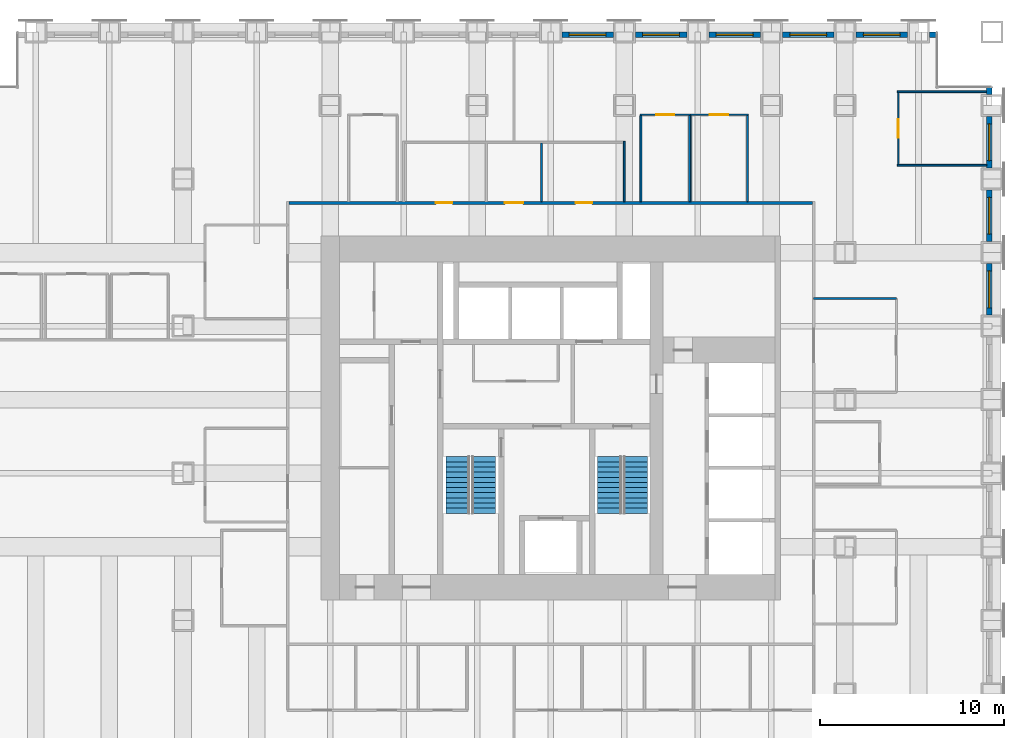
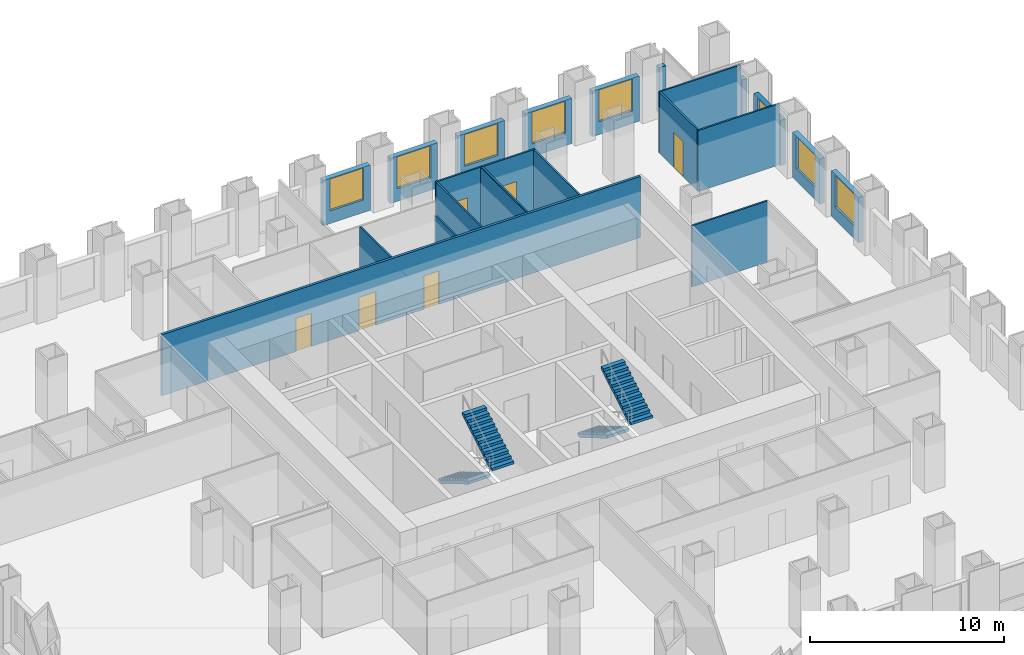
# One storey, part 12 of 14: 23 walls, 8 windows, 6 doors, 4 stair flights, 14 openings, 2 elements without a shape of their own.
"""IFC4 building model written with IfcOpenShell, lengths in metres."""

from ifc_helpers import new_model, si_unit, direction, frame, frame_2d, origin, place, context, subcontext, project, spatial, polyline, rectangle, outline, extrude, material, layer, layer_set, type_object, element, fill, aggregate, save


model = new_model("IFC4")

# Units and contexts
model_context = context("Model", 3, precision=1e-05, world=origin(), true_north=direction((0.0, 1.0)))
body_context = subcontext(model_context, "Body", "Model", "MODEL_VIEW")
ifc_project = project(units=[si_unit("LENGTHUNIT", "METRE"), si_unit("AREAUNIT", "SQUARE_METRE"), si_unit("VOLUMEUNIT", "CUBIC_METRE"), si_unit("PLANEANGLEUNIT", "RADIAN"), si_unit("MASSUNIT", "GRAM", prefix="KILO")], contexts=[model_context])

# Site, building, storey
site_placement = place(None, origin())
site = spatial("IfcSite", under=ifc_project, at=site_placement, CompositionType="ELEMENT")
building_placement = place(site_placement, origin())
building = spatial("IfcBuilding", under=site, at=building_placement, Name="Rimbunsela Tower", CompositionType="ELEMENT")
storey_placement = place(building_placement, frame((0.0, 0.0, 63.0)))
storey = spatial("IfcBuildingStorey", under=building, at=storey_placement, Name="L15", CompositionType="ELEMENT", Elevation=63.0)

# Wall
ifc_material_1 = material(Name="Gypsum board on steel studs", Category="steel")
ifc_layer_1 = layer(ifc_material_1, 0.10009765625)
ifc_layer_set_1 = layer_set([ifc_layer_1], Name="Office partition 100")
wall_type_1 = type_object("IfcWallType", Name="Office partition 100", PredefinedType="PARTITIONING", material=ifc_layer_set_1)
wall_1_placement = place(storey_placement, frame((48.85009765625, 40.75, 0.0), z_axis=(0.0, 0.0, 1.0), x_axis=(1.0, 0.0, 0.0)))
element("IfcWall", 1, at=wall_1_placement, inside=storey, type_object=wall_type_1, Name="Office partition", PredefinedType="PARTITIONING", context=body_context, shape_type="SweptSolid", body=[
    extrude(rectangle(XDim=4.849853515625, YDim=0.10009765625, at=frame_2d((2.4248046875, 0.0))), origin(), (0.0, 0.0, 1.0), 3.85009765625),
])

# Wall, opening, door
wall_2_placement = place(storey_placement, frame((34.85009765625, 43.5, 0.0), z_axis=(0.0, 0.0, 1.0), x_axis=(1.0, 0.0, 0.0)))
wall_2 = element("IfcWall", 2, at=wall_2_placement, inside=storey, type_object=wall_type_1, Name="Office partition", PredefinedType="PARTITIONING", context=body_context, shape_type="SweptSolid", body=[
    extrude(rectangle(XDim=2.75, YDim=0.10009765625, at=frame_2d((1.375, 0.0))), origin(), (0.0, 0.0, 1.0), 3.85009765625),
])
opening_1_placement = place(wall_2_placement, frame((0.875, 0.0, 0.0)))
opening_1 = element("IfcOpeningElement", 3, at=opening_1_placement, cuts=wall_2, Name="Opening D16", PredefinedType="OPENING", context=body_context, shape_type="SweptSolid", body=[
    extrude(rectangle(XDim=1.0, YDim=2.199951171875, at=frame_2d((0.5, 1.10009765625))), frame((0.0, 0.06005859375, 0.0), z_axis=(0.0, -1.0, 0.0), x_axis=(1.0, 0.0, 0.0)), (0.0, 0.0, 1.0), 0.1201171875),
])
ifc_material_2 = material(Name="Timber door", Category="wood")
door_type_1 = type_object("IfcDoorType", Name="Office door 1000", OperationType="SINGLE_SWING_LEFT", PredefinedType="DOOR", material=ifc_material_2)
door_1_placement = place(opening_1_placement, origin())
door_1 = element("IfcDoor", 4, at=door_1_placement, inside=storey, type_object=door_type_1, Name="Office door", OperationType="SINGLE_SWING_LEFT", OverallHeight=2.199951171875, OverallWidth=1.0, PredefinedType="DOOR", context=body_context, shape_type="SweptSolid", body=[
    extrude(rectangle(XDim=1.0, YDim=2.199951171875, at=frame_2d((0.5, 1.10009765625))), frame((0.0, 0.02490234375, 0.0), z_axis=(0.0, -1.0, 0.0), x_axis=(1.0, 0.0, 0.0)), (0.0, 0.0, 1.0), 0.050048828125),
])
fill(opening_1, door_1)

wall_3_placement = place(storey_placement, frame((37.550048828125, 43.5, 0.0), z_axis=(0.0, 0.0, 1.0), x_axis=(1.0, 0.0, 0.0)))
wall_3 = element("IfcWall", 5, at=wall_3_placement, inside=storey, type_object=wall_type_1, Name="Office partition", PredefinedType="PARTITIONING", context=body_context, shape_type="SweptSolid", body=[
    extrude(rectangle(XDim=3.199951171875, YDim=0.10009765625, at=frame_2d((1.60009765625, 0.0))), origin(), (0.0, 0.0, 1.0), 3.85009765625),
])
opening_2_placement = place(wall_3_placement, frame((1.10009765625, 0.0, 0.0)))
opening_2 = element("IfcOpeningElement", 6, at=opening_2_placement, cuts=wall_3, Name="Opening D16", PredefinedType="OPENING", context=body_context, shape_type="SweptSolid", body=[
    extrude(rectangle(XDim=1.0, YDim=2.199951171875, at=frame_2d((0.5, 1.10009765625))), frame((0.0, 0.06005859375, 0.0), z_axis=(0.0, -1.0, 0.0), x_axis=(1.0, 0.0, 0.0)), (0.0, 0.0, 1.0), 0.1201171875),
])
door_2_placement = place(opening_2_placement, origin())
door_2 = element("IfcDoor", 7, at=door_2_placement, inside=storey, type_object=door_type_1, Name="Office door", OperationType="SINGLE_SWING_LEFT", OverallHeight=2.199951171875, OverallWidth=1.0, PredefinedType="DOOR", context=body_context, shape_type="SweptSolid", body=[
    extrude(rectangle(XDim=1.0, YDim=2.199951171875, at=frame_2d((0.5, 1.10009765625))), frame((0.0, 0.02490234375, 0.0), z_axis=(0.0, -1.0, 0.0), x_axis=(1.0, 0.0, 0.0)), (0.0, 0.0, 1.0), 0.050048828125),
])
fill(opening_2, door_2)

# Walls
wall_4_placement = place(storey_placement, frame((48.85009765625, 44.75, 0.0), z_axis=(0.0, 0.0, 1.0), x_axis=(1.0, 0.0, 0.0)))
element("IfcWall", 8, at=wall_4_placement, inside=storey, type_object=wall_type_1, Name="Office partition", PredefinedType="PARTITIONING", context=body_context, shape_type="SweptSolid", body=[
    extrude(rectangle(XDim=4.849853515625, YDim=0.10009765625, at=frame_2d((2.4248046875, 0.0))), origin(), (0.0, 0.0, 1.0), 3.85009765625),
])
for number, where, z_axis, x_axis, name in (
    (9, (34.89990234375, 38.77490234375, 0.0), (0.0, 0.0, 1.0), (0.0, 1.0, 0.0), "Office partition"),
    (10, (37.550048828125, 38.77490234375, 0.0), (0.0, 0.0, 1.0), (0.0, 1.0, 0.0), "Office partition"),
    (11, (37.60009765625, 38.77490234375, 0.0), (0.0, 0.0, 1.0), (0.0, 1.0, 0.0), "Office partition"),
    (12, (40.699951171875, 38.77490234375, 0.0), (0.0, 0.0, 1.0), (0.0, 1.0, 0.0), "Office partition"),
):
    element("IfcWall", number, at=place(storey_placement, frame(where, z_axis=z_axis, x_axis=x_axis)), inside=storey, type_object=wall_type_1, Name=name, PredefinedType="PARTITIONING", context=body_context, shape_type="SweptSolid", body=[
        extrude(rectangle(XDim=4.675048828125, YDim=0.10009765625, at=frame_2d((2.33740234375, 0.0))), origin(), (0.0, 0.0, 1.0), 3.85009765625),
    ])

# Wall, opening, door
wall_5_placement = place(storey_placement, frame((48.89990234375, 40.800048828125, 0.0), z_axis=(0.0, 0.0, 1.0), x_axis=(0.0, 1.0, 0.0)))
wall_5 = element("IfcWall", 13, at=wall_5_placement, inside=storey, type_object=wall_type_1, Name="Office partition", PredefinedType="PARTITIONING", context=body_context, shape_type="SweptSolid", body=[
    extrude(rectangle(XDim=3.89990234375, YDim=0.10009765625, at=frame_2d((1.949951171875, 0.0))), origin(), (0.0, 0.0, 1.0), 3.85009765625),
])
opening_3_placement = place(wall_5_placement, frame((1.449951171875, 0.0, 0.0)))
opening_3 = element("IfcOpeningElement", 14, at=opening_3_placement, cuts=wall_5, Name="Opening D17", PredefinedType="OPENING", context=body_context, shape_type="SweptSolid", body=[
    extrude(rectangle(XDim=1.0, YDim=2.199951171875, at=frame_2d((0.5, 1.10009765625))), frame((0.0, 0.06005859375, 0.0), z_axis=(0.0, -1.0, 0.0), x_axis=(1.0, 0.0, 0.0)), (0.0, 0.0, 1.0), 0.1201171875),
])
ifc_material_3 = material(Name="Glazed aluminium door", Category="aluminium")
door_type_2 = type_object("IfcDoorType", Name="Meeting room door 1000 glazed", OperationType="SINGLE_SWING_RIGHT", PredefinedType="DOOR", material=ifc_material_3)
door_3_placement = place(opening_3_placement, origin())
door_3 = element("IfcDoor", 15, at=door_3_placement, inside=storey, type_object=door_type_2, Name="Meeting room door", OperationType="SINGLE_SWING_RIGHT", OverallHeight=2.199951171875, OverallWidth=1.0, PredefinedType="DOOR", context=body_context, shape_type="SweptSolid", body=[
    extrude(rectangle(XDim=1.0, YDim=2.199951171875, at=frame_2d((0.5, 1.10009765625))), frame((0.0, 0.02490234375, 0.0), z_axis=(0.0, -1.0, 0.0), x_axis=(1.0, 0.0, 0.0)), (0.0, 0.0, 1.0), 0.050048828125),
])
fill(opening_3, door_3)

# Wall
wall_6_placement = place(storey_placement, frame((48.800048828125, 33.5, 0.0), z_axis=(0.0, 0.0, 1.0), x_axis=(-1.0, 0.0, 0.0)))
element("IfcWall", 16, at=wall_6_placement, inside=storey, type_object=wall_type_1, Name="Office partition", PredefinedType="PARTITIONING", context=body_context, shape_type="SweptSolid", body=[
    extrude(rectangle(XDim=4.5, YDim=0.10009765625, at=frame_2d((2.25, 0.0))), origin(), (0.0, 0.0, 1.0), 3.85009765625),
])

# Wall, opening, window
ifc_material_4 = material(Name="Precast concrete fc' 35 MPa", Category="concrete")
ifc_layer_2 = layer(ifc_material_4, 0.300048828125)
ifc_layer_set_2 = layer_set([ifc_layer_2], Name="Precast concrete fc' 35 MPa")
wall_type_2 = type_object("IfcWallType", Name="Precast facade panel 300", PredefinedType="ELEMENTEDWALL", material=ifc_layer_set_2)
wall_7_placement = place(storey_placement, frame((53.85009765625, 32.60009765625, 0.0), z_axis=(0.0, 0.0, 1.0), x_axis=(0.0, 1.0, 0.0)))
wall_7 = element("IfcWall", 17, at=wall_7_placement, inside=storey, type_object=wall_type_2, Name="Facade panel E L15", PredefinedType="ELEMENTEDWALL", context=body_context, shape_type="SweptSolid", body=[
    extrude(rectangle(XDim=2.7998046875, YDim=0.300048828125, at=frame_2d((1.39990234375, 0.0))), origin(), (0.0, 0.0, 1.0), 2.85009765625),
])
opening_4_placement = place(wall_7_placement, frame((0.39990234375, 0.0, 0.800048828125)))
opening_4 = element("IfcOpeningElement", 18, at=opening_4_placement, cuts=wall_7, Name="Opening W1", PredefinedType="OPENING", context=body_context, shape_type="SweptSolid", body=[
    extrude(rectangle(XDim=2.0, YDim=2.0, at=frame_2d((1.0, 1.0))), frame((0.0, 0.159912109375, 0.0), z_axis=(0.0, -1.0, 0.0), x_axis=(1.0, 0.0, 0.0)), (0.0, 0.0, 1.0), 0.320068359375),
])
ifc_material_5 = material(Name="Clear glass in aluminium frame", Category="aluminium")
window_type = type_object("IfcWindowType", Name="Window W1 2000x2000", PartitioningType="DOUBLE_PANEL_VERTICAL", PredefinedType="WINDOW", material=ifc_material_5)
window_1_placement = place(opening_4_placement, origin())
window_1 = element("IfcWindow", 19, at=window_1_placement, inside=storey, type_object=window_type, Name="Window L15", OverallHeight=2.0, OverallWidth=2.0, PartitioningType="SINGLE_PANEL", PredefinedType="WINDOW", context=body_context, shape_type="SweptSolid", body=[
    extrude(rectangle(XDim=2.0, YDim=2.0, at=frame_2d((1.0, 1.0))), frame((0.0, 0.030029296875, 0.0), z_axis=(0.0, -1.0, 0.0), x_axis=(1.0, 0.0, 0.0)), (0.0, 0.0, 1.0), 0.06005859375),
])
fill(opening_4, window_1)

wall_8_placement = place(storey_placement, frame((53.85009765625, 36.60009765625, 0.0), z_axis=(0.0, 0.0, 1.0), x_axis=(0.0, 1.0, 0.0)))
wall_8 = element("IfcWall", 20, at=wall_8_placement, inside=storey, type_object=wall_type_2, Name="Facade panel E L15", PredefinedType="ELEMENTEDWALL", context=body_context, shape_type="SweptSolid", body=[
    extrude(rectangle(XDim=2.7998046875, YDim=0.300048828125, at=frame_2d((1.39990234375, 0.0))), origin(), (0.0, 0.0, 1.0), 2.85009765625),
])
opening_5_placement = place(wall_8_placement, frame((0.39990234375, 0.0, 0.800048828125)))
opening_5 = element("IfcOpeningElement", 21, at=opening_5_placement, cuts=wall_8, Name="Opening W1", PredefinedType="OPENING", context=body_context, shape_type="SweptSolid", body=[
    extrude(rectangle(XDim=2.0, YDim=2.0, at=frame_2d((1.0, 1.0))), frame((0.0, 0.159912109375, 0.0), z_axis=(0.0, -1.0, 0.0), x_axis=(1.0, 0.0, 0.0)), (0.0, 0.0, 1.0), 0.320068359375),
])
window_2_placement = place(opening_5_placement, origin())
window_2 = element("IfcWindow", 22, at=window_2_placement, inside=storey, type_object=window_type, Name="Window L15", OverallHeight=2.0, OverallWidth=2.0, PartitioningType="SINGLE_PANEL", PredefinedType="WINDOW", context=body_context, shape_type="SweptSolid", body=[
    extrude(rectangle(XDim=2.0, YDim=2.0, at=frame_2d((1.0, 1.0))), frame((0.0, 0.030029296875, 0.0), z_axis=(0.0, -1.0, 0.0), x_axis=(1.0, 0.0, 0.0)), (0.0, 0.0, 1.0), 0.06005859375),
])
fill(opening_5, window_2)

wall_9_placement = place(storey_placement, frame((53.85009765625, 40.60009765625, 0.0), z_axis=(0.0, 0.0, 1.0), x_axis=(0.0, 1.0, 0.0)))
wall_9 = element("IfcWall", 23, at=wall_9_placement, inside=storey, type_object=wall_type_2, Name="Facade panel E L15", PredefinedType="ELEMENTEDWALL", context=body_context, shape_type="SweptSolid", body=[
    extrude(rectangle(XDim=2.7998046875, YDim=0.300048828125, at=frame_2d((1.39990234375, 0.0))), origin(), (0.0, 0.0, 1.0), 2.85009765625),
])
opening_6_placement = place(wall_9_placement, frame((0.39990234375, 0.0, 0.800048828125)))
opening_6 = element("IfcOpeningElement", 24, at=opening_6_placement, cuts=wall_9, Name="Opening W1", PredefinedType="OPENING", context=body_context, shape_type="SweptSolid", body=[
    extrude(rectangle(XDim=2.0, YDim=2.0, at=frame_2d((1.0, 1.0))), frame((0.0, 0.159912109375, 0.0), z_axis=(0.0, -1.0, 0.0), x_axis=(1.0, 0.0, 0.0)), (0.0, 0.0, 1.0), 0.320068359375),
])
window_3_placement = place(opening_6_placement, origin())
window_3 = element("IfcWindow", 25, at=window_3_placement, inside=storey, type_object=window_type, Name="Window L15", OverallHeight=2.0, OverallWidth=2.0, PartitioningType="SINGLE_PANEL", PredefinedType="WINDOW", context=body_context, shape_type="SweptSolid", body=[
    extrude(rectangle(XDim=2.0, YDim=2.0, at=frame_2d((1.0, 1.0))), frame((0.0, 0.030029296875, 0.0), z_axis=(0.0, -1.0, 0.0), x_axis=(1.0, 0.0, 0.0)), (0.0, 0.0, 1.0), 0.06005859375),
])
fill(opening_6, window_3)

# Wall
wall_10_placement = place(storey_placement, frame((53.85009765625, 44.60009765625, 0.0), z_axis=(0.0, 0.0, 1.0), x_axis=(0.0, 1.0, 0.0)))
element("IfcWall", 26, at=wall_10_placement, inside=storey, type_object=wall_type_2, Name="Facade panel E L15", PredefinedType="ELEMENTEDWALL", context=body_context, shape_type="SweptSolid", body=[
    extrude(rectangle(XDim=0.369873046875, YDim=0.300048828125, at=frame_2d((0.18505859375, 0.0))), origin(), (0.0, 0.0, 1.0), 2.949951171875),
])

# Wall, opening, window
wall_11_placement = place(storey_placement, frame((33.39990234375, 47.85009765625, 0.0), z_axis=(0.0, 0.0, 1.0), x_axis=(-1.0, 0.0, 0.0)))
wall_11 = element("IfcWall", 27, at=wall_11_placement, inside=storey, type_object=wall_type_2, Name="Facade panel N L15", PredefinedType="ELEMENTEDWALL", context=body_context, shape_type="SweptSolid", body=[
    extrude(rectangle(XDim=2.7998046875, YDim=0.300048828125, at=frame_2d((1.39990234375, 0.0))), origin(), (0.0, 0.0, 1.0), 2.85009765625),
])
opening_7_placement = place(wall_11_placement, frame((0.39990234375, 0.0, 0.800048828125)))
opening_7 = element("IfcOpeningElement", 28, at=opening_7_placement, cuts=wall_11, Name="Opening W1", PredefinedType="OPENING", context=body_context, shape_type="SweptSolid", body=[
    extrude(rectangle(XDim=2.0, YDim=2.0, at=frame_2d((1.0, 1.0))), frame((0.0, 0.159912109375, 0.0), z_axis=(0.0, -1.0, 0.0), x_axis=(1.0, 0.0, 0.0)), (0.0, 0.0, 1.0), 0.320068359375),
])
window_4_placement = place(opening_7_placement, origin())
window_4 = element("IfcWindow", 29, at=window_4_placement, inside=storey, type_object=window_type, Name="Window L15", OverallHeight=2.0, OverallWidth=2.0, PartitioningType="SINGLE_PANEL", PredefinedType="WINDOW", context=body_context, shape_type="SweptSolid", body=[
    extrude(rectangle(XDim=2.0, YDim=2.0, at=frame_2d((1.0, 1.0))), frame((0.0, 0.030029296875, 0.0), z_axis=(0.0, -1.0, 0.0), x_axis=(1.0, 0.0, 0.0)), (0.0, 0.0, 1.0), 0.06005859375),
])
fill(opening_7, window_4)

wall_12_placement = place(storey_placement, frame((37.39990234375, 47.85009765625, 0.0), z_axis=(0.0, 0.0, 1.0), x_axis=(-1.0, 0.0, 0.0)))
wall_12 = element("IfcWall", 30, at=wall_12_placement, inside=storey, type_object=wall_type_2, Name="Facade panel N L15", PredefinedType="ELEMENTEDWALL", context=body_context, shape_type="SweptSolid", body=[
    extrude(rectangle(XDim=2.7998046875, YDim=0.300048828125, at=frame_2d((1.39990234375, 0.0))), origin(), (0.0, 0.0, 1.0), 2.85009765625),
])
opening_8_placement = place(wall_12_placement, frame((0.39990234375, 0.0, 0.800048828125)))
opening_8 = element("IfcOpeningElement", 31, at=opening_8_placement, cuts=wall_12, Name="Opening W1", PredefinedType="OPENING", context=body_context, shape_type="SweptSolid", body=[
    extrude(rectangle(XDim=2.0, YDim=2.0, at=frame_2d((1.0, 1.0))), frame((0.0, 0.159912109375, 0.0), z_axis=(0.0, -1.0, 0.0), x_axis=(1.0, 0.0, 0.0)), (0.0, 0.0, 1.0), 0.320068359375),
])
window_5_placement = place(opening_8_placement, origin())
window_5 = element("IfcWindow", 32, at=window_5_placement, inside=storey, type_object=window_type, Name="Window L15", OverallHeight=2.0, OverallWidth=2.0, PartitioningType="SINGLE_PANEL", PredefinedType="WINDOW", context=body_context, shape_type="SweptSolid", body=[
    extrude(rectangle(XDim=2.0, YDim=2.0, at=frame_2d((1.0, 1.0))), frame((0.0, 0.030029296875, 0.0), z_axis=(0.0, -1.0, 0.0), x_axis=(1.0, 0.0, 0.0)), (0.0, 0.0, 1.0), 0.06005859375),
])
fill(opening_8, window_5)

wall_13_placement = place(storey_placement, frame((41.39990234375, 47.85009765625, 0.0), z_axis=(0.0, 0.0, 1.0), x_axis=(-1.0, 0.0, 0.0)))
wall_13 = element("IfcWall", 33, at=wall_13_placement, inside=storey, type_object=wall_type_2, Name="Facade panel N L15", PredefinedType="ELEMENTEDWALL", context=body_context, shape_type="SweptSolid", body=[
    extrude(rectangle(XDim=2.7998046875, YDim=0.300048828125, at=frame_2d((1.39990234375, 0.0))), origin(), (0.0, 0.0, 1.0), 2.85009765625),
])
opening_9_placement = place(wall_13_placement, frame((0.39990234375, 0.0, 0.800048828125)))
opening_9 = element("IfcOpeningElement", 34, at=opening_9_placement, cuts=wall_13, Name="Opening W1", PredefinedType="OPENING", context=body_context, shape_type="SweptSolid", body=[
    extrude(rectangle(XDim=2.0, YDim=2.0, at=frame_2d((1.0, 1.0))), frame((0.0, 0.159912109375, 0.0), z_axis=(0.0, -1.0, 0.0), x_axis=(1.0, 0.0, 0.0)), (0.0, 0.0, 1.0), 0.320068359375),
])
window_6_placement = place(opening_9_placement, origin())
window_6 = element("IfcWindow", 35, at=window_6_placement, inside=storey, type_object=window_type, Name="Window L15", OverallHeight=2.0, OverallWidth=2.0, PartitioningType="SINGLE_PANEL", PredefinedType="WINDOW", context=body_context, shape_type="SweptSolid", body=[
    extrude(rectangle(XDim=2.0, YDim=2.0, at=frame_2d((1.0, 1.0))), frame((0.0, 0.030029296875, 0.0), z_axis=(0.0, -1.0, 0.0), x_axis=(1.0, 0.0, 0.0)), (0.0, 0.0, 1.0), 0.06005859375),
])
fill(opening_9, window_6)

wall_14_placement = place(storey_placement, frame((45.39990234375, 47.85009765625, 0.0), z_axis=(0.0, 0.0, 1.0), x_axis=(-1.0, 0.0, 0.0)))
wall_14 = element("IfcWall", 36, at=wall_14_placement, inside=storey, type_object=wall_type_2, Name="Facade panel N L15", PredefinedType="ELEMENTEDWALL", context=body_context, shape_type="SweptSolid", body=[
    extrude(rectangle(XDim=2.7998046875, YDim=0.300048828125, at=frame_2d((1.39990234375, 0.0))), origin(), (0.0, 0.0, 1.0), 2.85009765625),
])
opening_10_placement = place(wall_14_placement, frame((0.39990234375, 0.0, 0.800048828125)))
opening_10 = element("IfcOpeningElement", 37, at=opening_10_placement, cuts=wall_14, Name="Opening W1", PredefinedType="OPENING", context=body_context, shape_type="SweptSolid", body=[
    extrude(rectangle(XDim=2.0, YDim=2.0, at=frame_2d((1.0, 1.0))), frame((0.0, 0.159912109375, 0.0), z_axis=(0.0, -1.0, 0.0), x_axis=(1.0, 0.0, 0.0)), (0.0, 0.0, 1.0), 0.320068359375),
])
window_7_placement = place(opening_10_placement, origin())
window_7 = element("IfcWindow", 38, at=window_7_placement, inside=storey, type_object=window_type, Name="Window L15", OverallHeight=2.0, OverallWidth=2.0, PartitioningType="SINGLE_PANEL", PredefinedType="WINDOW", context=body_context, shape_type="SweptSolid", body=[
    extrude(rectangle(XDim=2.0, YDim=2.0, at=frame_2d((1.0, 1.0))), frame((0.0, 0.030029296875, 0.0), z_axis=(0.0, -1.0, 0.0), x_axis=(1.0, 0.0, 0.0)), (0.0, 0.0, 1.0), 0.06005859375),
])
fill(opening_10, window_7)

wall_15_placement = place(storey_placement, frame((49.39990234375, 47.85009765625, 0.0), z_axis=(0.0, 0.0, 1.0), x_axis=(-1.0, 0.0, 0.0)))
wall_15 = element("IfcWall", 39, at=wall_15_placement, inside=storey, type_object=wall_type_2, Name="Facade panel N L15", PredefinedType="ELEMENTEDWALL", context=body_context, shape_type="SweptSolid", body=[
    extrude(rectangle(XDim=2.7998046875, YDim=0.300048828125, at=frame_2d((1.39990234375, 0.0))), origin(), (0.0, 0.0, 1.0), 2.85009765625),
])
opening_11_placement = place(wall_15_placement, frame((0.39990234375, 0.0, 0.800048828125)))
opening_11 = element("IfcOpeningElement", 40, at=opening_11_placement, cuts=wall_15, Name="Opening W1", PredefinedType="OPENING", context=body_context, shape_type="SweptSolid", body=[
    extrude(rectangle(XDim=2.0, YDim=2.0, at=frame_2d((1.0, 1.0))), frame((0.0, 0.159912109375, 0.0), z_axis=(0.0, -1.0, 0.0), x_axis=(1.0, 0.0, 0.0)), (0.0, 0.0, 1.0), 0.320068359375),
])
window_8_placement = place(opening_11_placement, origin())
window_8 = element("IfcWindow", 41, at=window_8_placement, inside=storey, type_object=window_type, Name="Window L15", OverallHeight=2.0, OverallWidth=2.0, PartitioningType="SINGLE_PANEL", PredefinedType="WINDOW", context=body_context, shape_type="SweptSolid", body=[
    extrude(rectangle(XDim=2.0, YDim=2.0, at=frame_2d((1.0, 1.0))), frame((0.0, 0.030029296875, 0.0), z_axis=(0.0, -1.0, 0.0), x_axis=(1.0, 0.0, 0.0)), (0.0, 0.0, 1.0), 0.06005859375),
])
fill(opening_11, window_8)

# Wall
wall_16_placement = place(storey_placement, frame((50.969970703125, 47.85009765625, 0.0), z_axis=(0.0, 0.0, 1.0), x_axis=(-1.0, 0.0, 0.0)))
element("IfcWall", 42, at=wall_16_placement, inside=storey, type_object=wall_type_2, Name="Facade panel N L15", PredefinedType="ELEMENTEDWALL", context=body_context, shape_type="SweptSolid", body=[
    extrude(rectangle(XDim=0.369873046875, YDim=0.300048828125, at=frame_2d((0.18505859375, 0.0))), origin(), (0.0, 0.0, 1.0), 2.949951171875),
])

# Wall, openings, doors
ifc_material_6 = material(Name="Fire-rated gypsum board on steel studs, EI 60", Category="steel")
ifc_layer_3 = layer(ifc_material_6, 0.14990234375)
ifc_layer_set_3 = layer_set([ifc_layer_3], Name="Rated corridor wall 150")
wall_type_3 = type_object("IfcWallType", Name="Rated corridor wall 150", PredefinedType="PARTITIONING", material=ifc_layer_set_3)
wall_17_placement = place(storey_placement, frame((15.77490234375, 38.699951171875, 0.0), z_axis=(0.0, 0.0, 1.0), x_axis=(1.0, 0.0, 0.0)))
wall_17 = element("IfcWall", 43, at=wall_17_placement, inside=storey, type_object=wall_type_3, Name="Corridor wall north", PredefinedType="PARTITIONING", context=body_context, shape_type="SweptSolid", body=[
    extrude(rectangle(XDim=28.4501953125, YDim=0.14990234375, at=frame_2d((14.22509765625, 0.0))), origin(), (0.0, 0.0, 1.0), 3.85009765625),
])
opening_12_placement = place(wall_17_placement, frame((7.97509765625, 0.0, 0.0)))
opening_12 = element("IfcOpeningElement", 44, at=opening_12_placement, cuts=wall_17, Name="Opening D04", PredefinedType="OPENING", context=body_context, shape_type="SweptSolid", body=[
    extrude(rectangle(XDim=0.89990234375, YDim=2.10009765625, at=frame_2d((0.449951171875, 1.050048828125))), frame((0.0, 0.0849609375, 0.0), z_axis=(0.0, -1.0, 0.0), x_axis=(1.0, 0.0, 0.0)), (0.0, 0.0, 1.0), 0.169921875),
])
opening_13_placement = place(wall_17_placement, frame((11.72509765625, 0.0, 0.0)))
opening_13 = element("IfcOpeningElement", 45, at=opening_13_placement, cuts=wall_17, Name="Opening D05", PredefinedType="OPENING", context=body_context, shape_type="SweptSolid", body=[
    extrude(rectangle(XDim=1.0, YDim=2.10009765625, at=frame_2d((0.5, 1.050048828125))), frame((0.0, 0.0849609375, 0.0), z_axis=(0.0, -1.0, 0.0), x_axis=(1.0, 0.0, 0.0)), (0.0, 0.0, 1.0), 0.169921875),
])
opening_14_placement = place(wall_17_placement, frame((15.574951171875, 0.0, 0.0)))
opening_14 = element("IfcOpeningElement", 46, at=opening_14_placement, cuts=wall_17, Name="Opening D04", PredefinedType="OPENING", context=body_context, shape_type="SweptSolid", body=[
    extrude(rectangle(XDim=0.89990234375, YDim=2.10009765625, at=frame_2d((0.449951171875, 1.050048828125))), frame((0.0, 0.0849609375, 0.0), z_axis=(0.0, -1.0, 0.0), x_axis=(1.0, 0.0, 0.0)), (0.0, 0.0, 1.0), 0.169921875),
])
ifc_material_7 = material(Name="Timber door", Category="wood")
door_type_3 = type_object("IfcDoorType", Name="Accessible WC door 1000", OperationType="SLIDING_TO_LEFT", PredefinedType="DOOR", material=ifc_material_7)
door_4_placement = place(opening_13_placement, origin())
door_4 = element("IfcDoor", 47, at=door_4_placement, inside=storey, type_object=door_type_3, Name="Accessible WC door", OperationType="SLIDING_TO_LEFT", OverallHeight=2.10009765625, OverallWidth=1.0, PredefinedType="DOOR", context=body_context, shape_type="SweptSolid", body=[
    extrude(rectangle(XDim=1.0, YDim=2.10009765625, at=frame_2d((0.5, 1.050048828125))), frame((0.0, 0.02490234375, 0.0), z_axis=(0.0, -1.0, 0.0), x_axis=(1.0, 0.0, 0.0)), (0.0, 0.0, 1.0), 0.050048828125),
])
fill(opening_13, door_4)
ifc_material_8 = material(Name="Timber door", Category="wood")
door_type_4 = type_object("IfcDoorType", Name="Toilet door 900", OperationType="SINGLE_SWING_LEFT", PredefinedType="DOOR", material=ifc_material_8)
door_5_placement = place(opening_12_placement, origin())
door_5 = element("IfcDoor", 48, at=door_5_placement, inside=storey, type_object=door_type_4, Name="Female WC door", OperationType="SINGLE_SWING_LEFT", OverallHeight=2.10009765625, OverallWidth=0.89990234375, PredefinedType="DOOR", context=body_context, shape_type="SweptSolid", body=[
    extrude(rectangle(XDim=0.89990234375, YDim=2.10009765625, at=frame_2d((0.449951171875, 1.050048828125))), frame((0.0, 0.02490234375, 0.0), z_axis=(0.0, -1.0, 0.0), x_axis=(1.0, 0.0, 0.0)), (0.0, 0.0, 1.0), 0.050048828125),
])
fill(opening_12, door_5)
door_6_placement = place(opening_14_placement, origin())
door_6 = element("IfcDoor", 49, at=door_6_placement, inside=storey, type_object=door_type_4, Name="Male WC door", OperationType="SINGLE_SWING_LEFT", OverallHeight=2.10009765625, OverallWidth=0.89990234375, PredefinedType="DOOR", context=body_context, shape_type="SweptSolid", body=[
    extrude(rectangle(XDim=0.89990234375, YDim=2.10009765625, at=frame_2d((0.449951171875, 1.050048828125))), frame((0.0, 0.02490234375, 0.0), z_axis=(0.0, -1.0, 0.0), x_axis=(1.0, 0.0, 0.0)), (0.0, 0.0, 1.0), 0.050048828125),
])
fill(opening_14, door_6)

# Walls
ifc_material_9 = material(Name="Concrete blockwork", Category="masonry")
ifc_layer_4 = layer(ifc_material_9, 0.10009765625)
ifc_layer_set_4 = layer_set([ifc_layer_4], Name="Toilet partition 100")
wall_type_4 = type_object("IfcWallType", Name="Toilet partition 100", PredefinedType="PARTITIONING", material=ifc_layer_set_4)
wall_18_placement = place(storey_placement, frame((34.0, 38.77490234375, 0.0), z_axis=(0.0, 0.0, 1.0), x_axis=(0.0, 1.0, 0.0)))
element("IfcWall", 50, at=wall_18_placement, inside=storey, type_object=wall_type_4, Name="Toilet block wall east", PredefinedType="PARTITIONING", context=body_context, shape_type="SweptSolid", body=[
    extrude(rectangle(XDim=3.275146484375, YDim=0.10009765625, at=frame_2d((1.6376953125, 0.0))), origin(), (0.0, 0.0, 1.0), 2.949951171875),
])
wall_19_placement = place(storey_placement, frame((29.5, 38.77490234375, 0.0), z_axis=(0.0, 0.0, 1.0), x_axis=(0.0, 1.0, 0.0)))
element("IfcWall", 51, at=wall_19_placement, inside=storey, type_object=wall_type_4, Name="Toilet partition", PredefinedType="PARTITIONING", context=body_context, shape_type="SweptSolid", body=[
    extrude(rectangle(XDim=3.175048828125, YDim=0.10009765625, at=frame_2d((1.58740234375, 0.0))), origin(), (0.0, 0.0, 1.0), 3.85009765625),
])

# Stair, stair flights
ifc_material_10 = material(Name="Concrete fc' 35 MPa", Category="concrete")
stair_type = type_object("IfcStairType", Name="Exit stair 24 risers", PredefinedType="HALF_TURN_STAIR", material=ifc_material_10)
stair_1_placement = place(storey_placement, origin())
stair_1 = element("IfcStair", 52, at=stair_1_placement, inside=storey, type_object=stair_type, Name="Exit stair A L15", PredefinedType="HALF_TURN_STAIR")
ifc_material_11 = material(Name="Concrete fc' 35 MPa", Category="concrete")
stair_flight_type = type_object("IfcStairFlightType", Name="Stair flight 12 risers 167", PredefinedType="STRAIGHT", material=ifc_material_11)
stair_flight_1_placement = place(storey_placement, frame((24.949951171875, 24.89990234375, 0.0), z_axis=(0.0, 0.0, 1.0), x_axis=(0.0, -1.0, 0.0)))
stair_flight_1 = element("IfcStairFlight", 53, at=stair_flight_1_placement, type_object=stair_flight_type, Name="ST-A flight 1", NumberOfRisers=12, NumberOfTreads=11, PredefinedType="STRAIGHT", RiserHeight=0.166666667, TreadLength=0.28, context=body_context, shape_type="SweptSolid", body=[
    extrude(outline(polyline([(0.0, 0.0), (0.0, 0.166748046875), (0.280029296875, 0.166748046875), (0.280029296875, 0.333251953125), (0.56005859375, 0.333251953125), (0.56005859375, 0.5), (0.840087890625, 0.5), (0.840087890625, 0.666748046875), (1.1201171875, 0.666748046875), (1.1201171875, 0.833251953125), (1.39990234375, 0.833251953125), (1.39990234375, 1.0), (1.679931640625, 1.0), (1.679931640625, 1.166748046875), (1.9599609375, 1.166748046875), (1.9599609375, 1.333251953125), (2.239990234375, 1.333251953125), (2.239990234375, 1.5), (2.52001953125, 1.5), (2.52001953125, 1.666748046875), (2.800048828125, 1.666748046875), (2.800048828125, 1.833251953125), (3.080078125, 1.833251953125), (3.080078125, 2.0), (3.080078125, 1.658935546875), (0.29296875, 0.0), (0.0, 0.0)])), frame((0.0, 0.64990234375, 0.0), z_axis=(0.0, -1.0, 0.0), x_axis=(1.0, 0.0, 0.0)), (0.0, 0.0, 1.0), 1.300048828125),
])
stair_flight_2_placement = place(storey_placement, frame((26.35009765625, 21.820068359375, 2.0), z_axis=(0.0, 0.0, 1.0), x_axis=(0.0, 1.0, 0.0)))
stair_flight_2 = element("IfcStairFlight", 54, at=stair_flight_2_placement, type_object=stair_flight_type, Name="ST-A flight 2", NumberOfRisers=12, NumberOfTreads=11, PredefinedType="STRAIGHT", RiserHeight=0.166666667, TreadLength=0.28, context=body_context, shape_type="SweptSolid", body=[
    extrude(outline(polyline([(0.0, 0.0), (0.0, 0.166748046875), (0.280029296875, 0.166748046875), (0.280029296875, 0.333251953125), (0.56005859375, 0.333251953125), (0.56005859375, 0.5), (0.840087890625, 0.5), (0.840087890625, 0.666748046875), (1.1201171875, 0.666748046875), (1.1201171875, 0.833251953125), (1.39990234375, 0.833251953125), (1.39990234375, 1.0), (1.679931640625, 1.0), (1.679931640625, 1.166748046875), (1.9599609375, 1.166748046875), (1.9599609375, 1.333251953125), (2.239990234375, 1.333251953125), (2.239990234375, 1.5), (2.52001953125, 1.5), (2.52001953125, 1.666748046875), (2.800048828125, 1.666748046875), (2.800048828125, 1.833251953125), (3.080078125, 1.833251953125), (3.080078125, 2.0), (3.080078125, 1.658935546875), (0.29296875, 0.0), (0.0, 0.0)])), frame((0.0, 0.64990234375, 0.0), z_axis=(0.0, -1.0, 0.0), x_axis=(1.0, 0.0, 0.0)), (0.0, 0.0, 1.0), 1.300048828125),
])
aggregate(stair_1, [stair_flight_1, stair_flight_2])

stair_2_placement = place(storey_placement, origin())
stair_2 = element("IfcStair", 55, at=stair_2_placement, inside=storey, type_object=stair_type, Name="Exit stair B L15", PredefinedType="HALF_TURN_STAIR")
stair_flight_3_placement = place(storey_placement, frame((33.199951171875, 24.89990234375, 0.0), z_axis=(0.0, 0.0, 1.0), x_axis=(0.0, -1.0, 0.0)))
stair_flight_3 = element("IfcStairFlight", 56, at=stair_flight_3_placement, type_object=stair_flight_type, Name="ST-B flight 1", NumberOfRisers=12, NumberOfTreads=11, PredefinedType="STRAIGHT", RiserHeight=0.166666667, TreadLength=0.28, context=body_context, shape_type="SweptSolid", body=[
    extrude(outline(polyline([(0.0, 0.0), (0.0, 0.166748046875), (0.280029296875, 0.166748046875), (0.280029296875, 0.333251953125), (0.56005859375, 0.333251953125), (0.56005859375, 0.5), (0.840087890625, 0.5), (0.840087890625, 0.666748046875), (1.1201171875, 0.666748046875), (1.1201171875, 0.833251953125), (1.39990234375, 0.833251953125), (1.39990234375, 1.0), (1.679931640625, 1.0), (1.679931640625, 1.166748046875), (1.9599609375, 1.166748046875), (1.9599609375, 1.333251953125), (2.239990234375, 1.333251953125), (2.239990234375, 1.5), (2.52001953125, 1.5), (2.52001953125, 1.666748046875), (2.800048828125, 1.666748046875), (2.800048828125, 1.833251953125), (3.080078125, 1.833251953125), (3.080078125, 2.0), (3.080078125, 1.658935546875), (0.29296875, 0.0), (0.0, 0.0)])), frame((0.0, 0.64990234375, 0.0), z_axis=(0.0, -1.0, 0.0), x_axis=(1.0, 0.0, 0.0)), (0.0, 0.0, 1.0), 1.300048828125),
])
stair_flight_4_placement = place(storey_placement, frame((34.60009765625, 21.820068359375, 2.0), z_axis=(0.0, 0.0, 1.0), x_axis=(0.0, 1.0, 0.0)))
stair_flight_4 = element("IfcStairFlight", 57, at=stair_flight_4_placement, type_object=stair_flight_type, Name="ST-B flight 2", NumberOfRisers=12, NumberOfTreads=11, PredefinedType="STRAIGHT", RiserHeight=0.166666667, TreadLength=0.28, context=body_context, shape_type="SweptSolid", body=[
    extrude(outline(polyline([(0.0, 0.0), (0.0, 0.166748046875), (0.280029296875, 0.166748046875), (0.280029296875, 0.333251953125), (0.56005859375, 0.333251953125), (0.56005859375, 0.5), (0.840087890625, 0.5), (0.840087890625, 0.666748046875), (1.1201171875, 0.666748046875), (1.1201171875, 0.833251953125), (1.39990234375, 0.833251953125), (1.39990234375, 1.0), (1.679931640625, 1.0), (1.679931640625, 1.166748046875), (1.9599609375, 1.166748046875), (1.9599609375, 1.333251953125), (2.239990234375, 1.333251953125), (2.239990234375, 1.5), (2.52001953125, 1.5), (2.52001953125, 1.666748046875), (2.800048828125, 1.666748046875), (2.800048828125, 1.833251953125), (3.080078125, 1.833251953125), (3.080078125, 2.0), (3.080078125, 1.658935546875), (0.29296875, 0.0), (0.0, 0.0)])), frame((0.0, 0.64990234375, 0.0), z_axis=(0.0, -1.0, 0.0), x_axis=(1.0, 0.0, 0.0)), (0.0, 0.0, 1.0), 1.300048828125),
])
aggregate(stair_2, [stair_flight_3, stair_flight_4])

save(model, "model.ifc")
